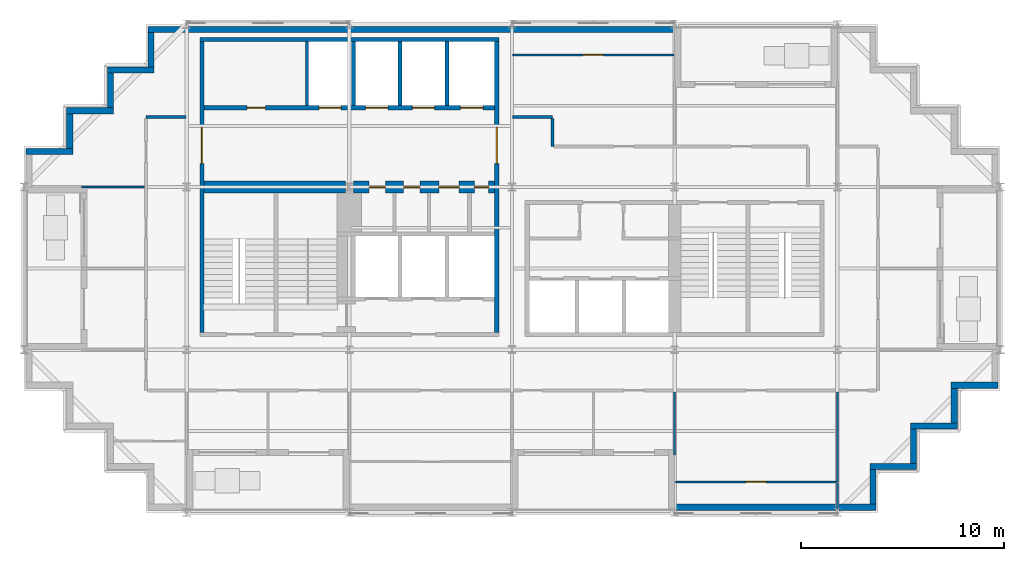
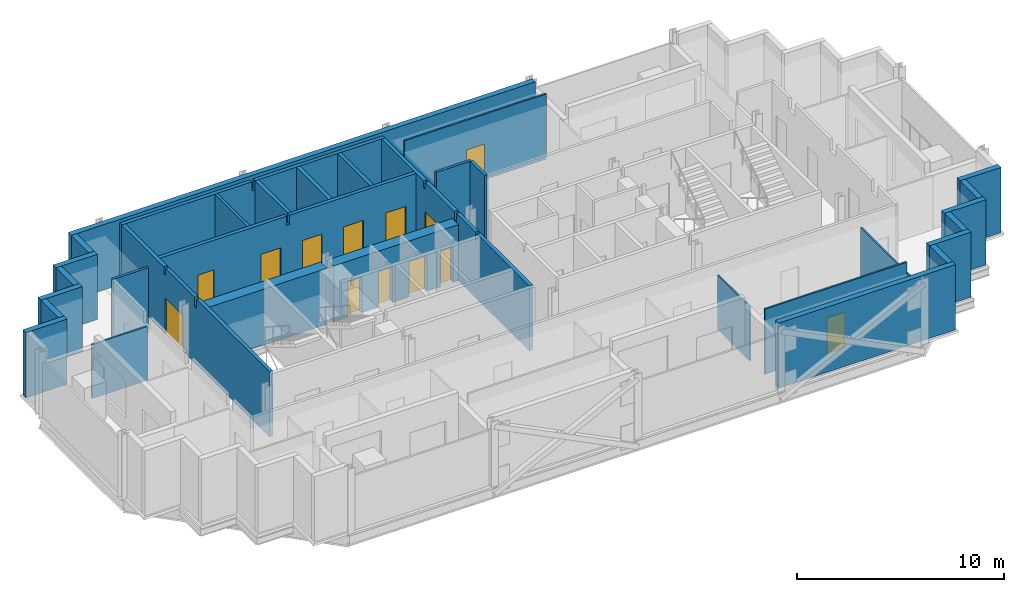
# One storey, part 6 of 10: 33 walls, 13 doors, 13 openings.
"""IFC4 building model written with IfcOpenShell, lengths in metres."""

import ifcopenshell
import ifcopenshell.guid

model = None  # the IFC model being written
_history = None  # IfcOwnerHistory: only IFC2X3 demands one
_inside = {}  # id of a spatial element -> (the spatial element, [elements in it])
_under = {}  # id of a project, library or spatial element -> (it, [spatial elements below it])
_declared = {}  # id of a project -> (the project, [libraries it declares])
_typed = {}  # id of a type object -> (the type object, [elements of that type])
_made_of = {}  # id of a material, layer set ... -> (it, [elements and type objects made of it])


def new_model(schema):
    """Start an empty IFC model of exactly this schema.

    Asked for "IFC4X3", IfcOpenShell would pick the latest addendum, in which some entities
    have other attributes; the version numbers below select the first issue.
    IFC2X3 requires an IfcOwnerHistory on every rooted entity: one is made here for all.
    """
    global model, _history
    if schema == "IFC4X3":
        model = ifcopenshell.file(schema_version=(4, 3, 0, 0))
    else:
        model = ifcopenshell.file(schema=schema)
    _inside.clear()
    _under.clear()
    _declared.clear()
    _typed.clear()
    _made_of.clear()
    _history = None
    if model.schema == "IFC2X3":
        org = make("IfcOrganization", Name="unknown")
        user = make(
            "IfcPersonAndOrganization",
            ThePerson=make("IfcPerson", FamilyName="unknown"),
            TheOrganization=org,
        )
        app = make(
            "IfcApplication",
            ApplicationDeveloper=org,
            Version="unknown",
            ApplicationFullName="unknown",
            ApplicationIdentifier="unknown",
        )
        _history = make(
            "IfcOwnerHistory",
            OwningUser=user,
            OwningApplication=app,
            ChangeAction="ADDED",
            CreationDate=0,
        )
    return model


def make(cls, **values):
    """One entity of the class cls with the attributes given. An attribute that is None is left unset."""
    return model.create_entity(
        cls, **{name: value for name, value in values.items() if value is not None}
    )


def rooted(cls, **values):
    """An entity with a GlobalId (a new one), such as an element, a storey or a relation."""
    return make(cls, GlobalId=ifcopenshell.guid.new(), OwnerHistory=_history, **values)


def si_unit(unit_type, name, prefix=None):
    """IfcSIUnit, for example si_unit("LENGTHUNIT", "METRE", prefix="MILLI")."""
    return make("IfcSIUnit", UnitType=unit_type, Prefix=prefix, Name=name)


def assignment(units):
    """IfcUnitAssignment: the units of a project."""
    return None if units is None else make("IfcUnitAssignment", Units=units)


def point(xyz):
    """IfcCartesianPoint."""
    return None if xyz is None else make("IfcCartesianPoint", Coordinates=xyz)


def direction(xyz):
    """IfcDirection."""
    return None if xyz is None else make("IfcDirection", DirectionRatios=xyz)


def frame(location, z_axis=None, x_axis=None):
    """IfcAxis2Placement3D, a coordinate frame: its origin and axes. An axis left out is left unset."""
    return make(
        "IfcAxis2Placement3D",
        Location=point(location),
        Axis=direction(z_axis),
        RefDirection=direction(x_axis),
    )


def frame_2d(location, x_axis=None):
    """IfcAxis2Placement2D, a coordinate frame in the plane: its origin and x axis."""
    return make(
        "IfcAxis2Placement2D", Location=point(location), RefDirection=direction(x_axis)
    )


def origin():
    """The frame at (0, 0, 0) with its axes left unset."""
    return frame((0.0, 0.0, 0.0))


def place(relative_to, where):
    """IfcLocalPlacement: puts the frame where relative to a parent placement (None: the world)."""
    return make(
        "IfcLocalPlacement", PlacementRelTo=relative_to, RelativePlacement=where
    )


def context(
    kind, dimensions, precision=None, world=None, true_north=None, identifier=None
):
    """IfcGeometricRepresentationContext, for example the 3D "Model" context."""
    return make(
        "IfcGeometricRepresentationContext",
        ContextIdentifier=identifier,
        ContextType=kind,
        CoordinateSpaceDimension=dimensions,
        Precision=precision,
        WorldCoordinateSystem=world,
        TrueNorth=true_north,
    )


def subcontext(parent, identifier, kind, view, scale=None):
    """IfcGeometricRepresentationSubContext, for example "Body" below "Model"."""
    return make(
        "IfcGeometricRepresentationSubContext",
        ContextIdentifier=identifier,
        ContextType=kind,
        ParentContext=parent,
        TargetScale=scale,
        TargetView=view,
    )


def project(units=None, contexts=None):
    """IfcProject with its units and contexts."""
    return rooted(
        "IfcProject",
        Name="project",
        RepresentationContexts=contexts,
        UnitsInContext=assignment(units),
    )


def spatial(cls, under=None, at=None, **own):
    """A site, building, storey or space (cls), placed at a placement, below another one or the project."""
    s = rooted(cls, ObjectPlacement=at, **own)
    if under is not None:
        _under.setdefault(under.id(), (under, []))[1].append(s)
    return s


def polyline(points):
    """IfcPolyline through the points."""
    return make("IfcPolyline", Points=[point(p) for p in points])


def profile(cls, at=None, kind="AREA", **sizes):
    """A parametric profile (cls). Its sizes go by their IFC names, for example OverallWidth=200.0."""
    return make(cls, ProfileType=kind, Position=at, **sizes)


def rectangle(**sizes):
    """IfcRectangleProfileDef."""
    return profile("IfcRectangleProfileDef", **sizes)


def outline(outer, holes=None, kind="AREA"):
    """IfcArbitraryClosedProfileDef: a profile drawn as a closed curve; with holes, ...WithVoids."""
    if holes is None:
        return make("IfcArbitraryClosedProfileDef", ProfileType=kind, OuterCurve=outer)
    return make(
        "IfcArbitraryProfileDefWithVoids",
        ProfileType=kind,
        OuterCurve=outer,
        InnerCurves=holes,
    )


def extrude(swept, where, along, depth):
    """IfcExtrudedAreaSolid: the profile swept, set in the frame where, extruded along a direction by depth."""
    return make(
        "IfcExtrudedAreaSolid",
        SweptArea=swept,
        Position=where,
        ExtrudedDirection=direction(along),
        Depth=depth,
    )


def shape(context_of_items, identifier, shape_type, items):
    """IfcShapeRepresentation: the items that make up one representation, for example the "Body"."""
    return make(
        "IfcShapeRepresentation",
        ContextOfItems=context_of_items,
        RepresentationIdentifier=identifier,
        RepresentationType=shape_type,
        Items=items,
    )


def material(Name=None, Category=None):
    """IfcMaterial."""
    return make("IfcMaterial", Name=Name, Category=Category)


def layer(
    of_material, thickness, ventilated=None, Name=None, Category=None, Priority=None
):
    """IfcMaterialLayer: one layer of a wall or slab, of a material (None: an air gap)."""
    return make(
        "IfcMaterialLayer",
        Material=of_material,
        LayerThickness=thickness,
        IsVentilated=ventilated,
        Name=Name,
        Category=Category,
        Priority=Priority,
    )


def layer_set(layers, Name=None):
    """IfcMaterialLayerSet."""
    return make("IfcMaterialLayerSet", MaterialLayers=layers, LayerSetName=Name)


def made_of(thing, what):
    """Note that an element or type object is made of a material, layer set ...; save() writes the relation."""
    if what is not None:
        _made_of.setdefault(what.id(), (what, []))[1].append(thing)
    return thing


def type_object(cls, material=None, **own):
    """A type object (cls), such as IfcWallType, which elements share."""
    return made_of(rooted(cls, **own), material)


def element(
    cls,
    number,
    at=None,
    inside=None,
    cuts=None,
    type_object=None,
    material=None,
    context=None,
    identifier="Body",
    shape_type=None,
    held_by="IfcProductDefinitionShape",
    body=None,
    shapes=None,
    **own,
):
    """One element of the class cls, such as IfcWall. Its Tag is "e" and its number.

    at: its placement. inside: the storey or other place that contains it. cuts: it is an
    opening in that element (IfcRelVoidsElement). A single representation is given by context,
    identifier, shape_type and body (its items); several are given by shapes. held_by: the class
    of the entity that holds the representations. save() writes the other relations.
    """
    e = rooted(cls, Tag="e%d" % number, ObjectPlacement=at, **own)
    if body is not None:
        shapes = [shape(context, identifier, shape_type, body)]
    if shapes is not None:
        e.Representation = make(held_by, Representations=shapes)
    if inside is not None:
        _inside.setdefault(inside.id(), (inside, []))[1].append(e)
    if cuts is not None:
        rooted(
            "IfcRelVoidsElement", RelatingBuildingElement=cuts, RelatedOpeningElement=e
        )
    if type_object is not None:
        _typed.setdefault(type_object.id(), (type_object, []))[1].append(e)
    return made_of(e, material)


def fill(opening, filler):
    """IfcRelFillsElement: the door or window that sits in an opening."""
    return rooted(
        "IfcRelFillsElement",
        RelatingOpeningElement=opening,
        RelatedBuildingElement=filler,
    )


def aggregate(whole, parts):
    """IfcRelAggregates: a whole, such as a stair, and the parts it consists of."""
    return rooted("IfcRelAggregates", RelatingObject=whole, RelatedObjects=parts)


def save(model, path):
    """Write the relations noted so far, then the file.

    IfcRelAggregates (storeys below a building ...), IfcRelContainedInSpatialStructure (elements
    in a storey), IfcRelDefinesByType, IfcRelAssociatesMaterial and IfcRelDeclares: one each for
    every whole, place, type object, material and project.
    """
    for whole, parts in _under.values():
        aggregate(whole, parts)
    for where, things in _inside.values():
        rooted(
            "IfcRelContainedInSpatialStructure",
            RelatedElements=things,
            RelatingStructure=where,
        )
    for kind, things in _typed.values():
        rooted("IfcRelDefinesByType", RelatedObjects=things, RelatingType=kind)
    for what, things in _made_of.values():
        rooted("IfcRelAssociatesMaterial", RelatedObjects=things, RelatingMaterial=what)
    for by, libraries in _declared.values():
        rooted("IfcRelDeclares", RelatingContext=by, RelatedDefinitions=libraries)
    model.write(path)


model = new_model("IFC4")

# Units and contexts
model_context = context("Model", 3, precision=1e-05, world=origin(), true_north=direction((0.0, 1.0)))
body_context = subcontext(model_context, "Body", "Model", "MODEL_VIEW")
ifc_project = project(units=[si_unit("LENGTHUNIT", "METRE"), si_unit("AREAUNIT", "SQUARE_METRE"), si_unit("VOLUMEUNIT", "CUBIC_METRE"), si_unit("PLANEANGLEUNIT", "RADIAN"), si_unit("MASSUNIT", "GRAM", prefix="KILO")], contexts=[model_context])

# Site, building, storey
site_placement = place(None, origin())
site = spatial("IfcSite", under=ifc_project, at=site_placement, CompositionType="ELEMENT")
building_placement = place(site_placement, origin())
building = spatial("IfcBuilding", under=site, at=building_placement, Name="Immortelle Media Tower", CompositionType="ELEMENT")
storey_placement = place(building_placement, frame((0.0, 0.0, 251.0)))
storey = spatial("IfcBuildingStorey", under=building, at=storey_placement, Name="L54", CompositionType="ELEMENT", Elevation=251.0)

# Wall, openings, doors
ifc_material_1 = material(Name="Fire-rated masonry blockwork", Category="masonry")
ifc_layer_1 = layer(ifc_material_1, 0.60009765625)
ifc_layer_set_1 = layer_set([ifc_layer_1], Name="Fire-rated masonry blockwork")
wall_type_1 = type_object("IfcWallType", Name="Core grid-line wall 600", PredefinedType="PARTITIONING", material=ifc_layer_set_1)
wall_1_placement = place(storey_placement, frame((16.195556640625, 16.0, 0.0), z_axis=(0.0, 0.0, 1.0), x_axis=(1.0, 0.0, 0.0)))
wall_1 = element("IfcWall", 1, at=wall_1_placement, inside=storey, type_object=wall_type_1, Name="Core grid-line wall SW", PredefinedType="PARTITIONING", context=body_context, shape_type="SweptSolid", body=[
    extrude(rectangle(XDim=6.954345703125, YDim=0.60009765625, at=frame_2d((3.47705078125, 0.0))), origin(), (0.0, 0.0, 1.0), 3.30810546875),
])
opening_1_placement = place(wall_1_placement, frame((1.57958984375, 0.0, 0.0), z_axis=(0.0, 0.0, 1.0), x_axis=(-1.0, 0.0, 0.0)))
opening_1 = element("IfcOpeningElement", 2, at=opening_1_placement, cuts=wall_1, Name="Opening X1-K009", PredefinedType="OPENING", context=body_context, shape_type="SweptSolid", body=[
    extrude(rectangle(XDim=0.800048828125, YDim=2.10009765625, at=frame_2d((0.39990234375, 1.050048828125))), frame((0.0, 0.31005859375, 0.0), z_axis=(0.0, -1.0, 0.0), x_axis=(1.0, 0.0, 0.0)), (0.0, 0.0, 1.0), 0.6201171875),
])
opening_2_placement = place(wall_1_placement, frame((3.279541015625, 0.0, 0.0), z_axis=(0.0, 0.0, 1.0), x_axis=(-1.0, 0.0, 0.0)))
opening_2 = element("IfcOpeningElement", 3, at=opening_2_placement, cuts=wall_1, Name="Opening X1-K010", PredefinedType="OPENING", context=body_context, shape_type="SweptSolid", body=[
    extrude(rectangle(XDim=0.800048828125, YDim=2.10009765625, at=frame_2d((0.39990234375, 1.050048828125))), frame((0.0, 0.31005859375, 0.0), z_axis=(0.0, -1.0, 0.0), x_axis=(1.0, 0.0, 0.0)), (0.0, 0.0, 1.0), 0.6201171875),
])
opening_3_placement = place(wall_1_placement, frame((5.20458984375, 0.0, 0.0), z_axis=(0.0, 0.0, 1.0), x_axis=(-1.0, 0.0, 0.0)))
opening_3 = element("IfcOpeningElement", 4, at=opening_3_placement, cuts=wall_1, Name="Opening X1-K014", PredefinedType="OPENING", context=body_context, shape_type="SweptSolid", body=[
    extrude(rectangle(XDim=1.0, YDim=2.10009765625, at=frame_2d((0.5, 1.050048828125))), frame((0.0, 0.31005859375, 0.0), z_axis=(0.0, -1.0, 0.0), x_axis=(1.0, 0.0, 0.0)), (0.0, 0.0, 1.0), 0.6201171875),
])
opening_4_placement = place(wall_1_placement, frame((6.654541015625, 0.0, 0.0), z_axis=(0.0, 0.0, 1.0), x_axis=(-1.0, 0.0, 0.0)))
opening_4 = element("IfcOpeningElement", 5, at=opening_4_placement, cuts=wall_1, Name="Opening X1-K017", PredefinedType="OPENING", context=body_context, shape_type="SweptSolid", body=[
    extrude(rectangle(XDim=0.699951171875, YDim=2.10009765625, at=frame_2d((0.35009765625, 1.050048828125))), frame((0.0, 0.31005859375, 0.0), z_axis=(0.0, -1.0, 0.0), x_axis=(1.0, 0.0, 0.0)), (0.0, 0.0, 1.0), 0.6201171875),
])
ifc_material_2 = material(Name="Timber", Category="wood")
door_type_1 = type_object("IfcDoorType", Name="Accessible toilet door 1000 x 2100", OperationType="NOTDEFINED", PredefinedType="NOTDEFINED", material=ifc_material_2)
door_1_placement = place(opening_3_placement, origin())
door_1 = element("IfcDoor", 6, at=door_1_placement, inside=storey, type_object=door_type_1, Name="Accessible toilet X1-K014", OperationType="SINGLE_SWING_RIGHT", OverallHeight=2.10009765625, OverallWidth=1.0, PredefinedType="NOTDEFINED", context=body_context, shape_type="SweptSolid", body=[
    extrude(rectangle(XDim=1.0, YDim=2.10009765625, at=frame_2d((0.5, 1.050048828125))), frame((0.0, 0.02490234375, 0.0), z_axis=(0.0, -1.0, 0.0), x_axis=(1.0, 0.0, 0.0)), (0.0, 0.0, 1.0), 0.050048828125),
])
fill(opening_3, door_1)
ifc_material_3 = material(Name="Galvanised steel door leaf and frame ASTM A653", Category="steel")
door_type_2 = type_object("IfcDoorType", Name="Service door 700 x 2100", OperationType="NOTDEFINED", PredefinedType="NOTDEFINED", material=ifc_material_3)
door_2_placement = place(opening_4_placement, origin())
door_2 = element("IfcDoor", 7, at=door_2_placement, inside=storey, type_object=door_type_2, Name="Service X1-K017", OperationType="SINGLE_SWING_LEFT", OverallHeight=2.10009765625, OverallWidth=0.699951171875, PredefinedType="NOTDEFINED", context=body_context, shape_type="SweptSolid", body=[
    extrude(rectangle(XDim=0.699951171875, YDim=2.10009765625, at=frame_2d((0.35009765625, 1.050048828125))), frame((0.0, 0.02490234375, 0.0), z_axis=(0.0, -1.0, 0.0), x_axis=(1.0, 0.0, 0.0)), (0.0, 0.0, 1.0), 0.050048828125),
])
fill(opening_4, door_2)
door_type_3 = type_object("IfcDoorType", Name="Toilet door 800 x 2100", OperationType="NOTDEFINED", PredefinedType="NOTDEFINED", material=ifc_material_2)
door_3_placement = place(opening_1_placement, origin())
door_3 = element("IfcDoor", 8, at=door_3_placement, inside=storey, type_object=door_type_3, Name="Toilet X1-K009", OperationType="SINGLE_SWING_RIGHT", OverallHeight=2.10009765625, OverallWidth=0.800048828125, PredefinedType="NOTDEFINED", context=body_context, shape_type="SweptSolid", body=[
    extrude(rectangle(XDim=0.800048828125, YDim=2.10009765625, at=frame_2d((0.39990234375, 1.050048828125))), frame((0.0, 0.02490234375, 0.0), z_axis=(0.0, -1.0, 0.0), x_axis=(1.0, 0.0, 0.0)), (0.0, 0.0, 1.0), 0.050048828125),
])
fill(opening_1, door_3)
door_4_placement = place(opening_2_placement, origin())
door_4 = element("IfcDoor", 9, at=door_4_placement, inside=storey, type_object=door_type_3, Name="Toilet X1-K010", OperationType="SINGLE_SWING_LEFT", OverallHeight=2.10009765625, OverallWidth=0.800048828125, PredefinedType="NOTDEFINED", context=body_context, shape_type="SweptSolid", body=[
    extrude(rectangle(XDim=0.800048828125, YDim=2.10009765625, at=frame_2d((0.39990234375, 1.050048828125))), frame((0.0, 0.02490234375, 0.0), z_axis=(0.0, -1.0, 0.0), x_axis=(1.0, 0.0, 0.0)), (0.0, 0.0, 1.0), 0.050048828125),
])
fill(opening_2, door_4)

# Walls
ifc_material_4 = material(Name="Fire-rated gypsum board", Category="gypsum")
ifc_layer_2 = layer(ifc_material_4, 0.02490234375)
ifc_material_5 = material(Name="Steel ASTM A653 SS Gr 50 stud frame with mineral wool", Category="steel")
ifc_layer_3 = layer(ifc_material_5, 0.10009765625)
ifc_layer_4 = layer(ifc_material_4, 0.02490234375)
ifc_layer_set_2 = layer_set([ifc_layer_2, ifc_layer_3, ifc_layer_4], Name="Steel ASTM A653 SS Gr 50 stud frame with mineral wool")
wall_type_2 = type_object("IfcWallType", Name="Core partition 150", PredefinedType="PARTITIONING", material=ifc_layer_set_2)
wall_2_placement = place(storey_placement, frame((13.925048828125, 20.0, 0.0), z_axis=(0.0, 0.0, 1.0), x_axis=(0.0, 1.0, 0.0)))
element("IfcWall", 10, at=wall_2_placement, inside=storey, type_object=wall_type_2, Name="Core partition SW", PredefinedType="PARTITIONING", context=body_context, shape_type="SweptSolid", body=[
    extrude(rectangle(XDim=3.14990234375, YDim=0.14990234375, at=frame_2d((1.574951171875, 0.0))), origin(), (0.0, 0.0, 1.0), 3.85009765625),
])
ifc_layer_5 = layer(ifc_material_4, 0.03759765625)
ifc_layer_6 = layer(ifc_material_5, 0.125)
ifc_layer_7 = layer(ifc_material_4, 0.03759765625)
ifc_layer_set_3 = layer_set([ifc_layer_5, ifc_layer_6, ifc_layer_7], Name="Steel ASTM A653 SS Gr 50 stud frame with mineral wool")
wall_type_3 = type_object("IfcWallType", Name="Core shaft wall 200", PredefinedType="PARTITIONING", material=ifc_layer_set_3)
wall_3_placement = place(storey_placement, frame((8.64990234375, 23.25, 0.0), z_axis=(0.0, 0.0, 1.0), x_axis=(1.0, 0.0, 0.0)))
element("IfcWall", 11, at=wall_3_placement, inside=storey, type_object=wall_type_3, Name="Core shaft wall SW", PredefinedType="PARTITIONING", context=body_context, shape_type="SweptSolid", body=[
    extrude(outline(polyline([(0.0, 0.0), (14.7001953125, 0.0), (14.699951171875, 3.85009765625), (7.4384765625, 3.85009765625), (7.4375, 3.30810546875), (7.262451171875, 3.30810546875), (7.261474609375, 3.85009765625), (0.0, 3.85009765625), (0.0, 0.0)])), frame((0.0, 0.10009765625, 0.0), z_axis=(0.0, -1.0, 0.0), x_axis=(1.0, 0.0, 0.0)), (0.0, 0.0, 1.0), 0.199951171875),
])

# Wall, openings, doors
wall_4_placement = place(storey_placement, frame((8.85009765625, 19.89990234375, 0.0), z_axis=(0.0, 0.0, 1.0), x_axis=(1.0, 0.0, 0.0)))
wall_4 = element("IfcWall", 12, at=wall_4_placement, inside=storey, type_object=wall_type_3, Name="Core shaft wall SW", PredefinedType="PARTITIONING", context=body_context, shape_type="SweptSolid", body=[
    extrude(outline(polyline([(0.0, 0.0), (14.2998046875, 0.0), (14.300048828125, 3.85009765625), (7.238525390625, 3.85009765625), (7.237548828125, 3.30810546875), (7.0625, 3.30810546875), (7.0615234375, 3.85009765625), (0.0, 3.85009765625), (0.0, 0.0)])), frame((0.0, 0.10009765625, 0.0), z_axis=(0.0, -1.0, 0.0), x_axis=(1.0, 0.0, 0.0)), (0.0, 0.0, 1.0), 0.199951171875),
])
opening_5_placement = place(wall_4_placement, frame((2.125, 0.0, 0.0)))
opening_5 = element("IfcOpeningElement", 13, at=opening_5_placement, cuts=wall_4, Name="Opening X1-K003", PredefinedType="OPENING", context=body_context, shape_type="SweptSolid", body=[
    extrude(rectangle(XDim=0.89990234375, YDim=2.10009765625, at=frame_2d((0.449951171875, 1.050048828125))), frame((0.0, 0.10986328125, 0.0), z_axis=(0.0, -1.0, 0.0), x_axis=(1.0, 0.0, 0.0)), (0.0, 0.0, 1.0), 0.219970703125),
])
opening_6_placement = place(wall_4_placement, frame((5.64990234375, 0.0, 0.0)))
opening_6 = element("IfcOpeningElement", 14, at=opening_6_placement, cuts=wall_4, Name="Opening LD", PredefinedType="OPENING", context=body_context, shape_type="SweptSolid", body=[
    extrude(rectangle(XDim=1.10009765625, YDim=2.10009765625, at=frame_2d((0.550048828125, 1.050048828125))), frame((0.0, 0.10986328125, 0.0), z_axis=(0.0, -1.0, 0.0), x_axis=(1.0, 0.0, 0.0)), (0.0, 0.0, 1.0), 0.219970703125),
])
opening_7_placement = place(wall_4_placement, frame((7.949951171875, 0.0, 0.0)))
opening_7 = element("IfcOpeningElement", 15, at=opening_7_placement, cuts=wall_4, Name="Opening LD", PredefinedType="OPENING", context=body_context, shape_type="SweptSolid", body=[
    extrude(rectangle(XDim=1.10009765625, YDim=2.10009765625, at=frame_2d((0.550048828125, 1.050048828125))), frame((0.0, 0.10986328125, 0.0), z_axis=(0.0, -1.0, 0.0), x_axis=(1.0, 0.0, 0.0)), (0.0, 0.0, 1.0), 0.219970703125),
])
opening_8_placement = place(wall_4_placement, frame((10.25, 0.0, 0.0)))
opening_8 = element("IfcOpeningElement", 16, at=opening_8_placement, cuts=wall_4, Name="Opening LD", PredefinedType="OPENING", context=body_context, shape_type="SweptSolid", body=[
    extrude(rectangle(XDim=1.10009765625, YDim=2.10009765625, at=frame_2d((0.550048828125, 1.050048828125))), frame((0.0, 0.10986328125, 0.0), z_axis=(0.0, -1.0, 0.0), x_axis=(1.0, 0.0, 0.0)), (0.0, 0.0, 1.0), 0.219970703125),
])
opening_9_placement = place(wall_4_placement, frame((12.625, 0.0, 0.0)))
opening_9 = element("IfcOpeningElement", 17, at=opening_9_placement, cuts=wall_4, Name="Opening LD", PredefinedType="OPENING", context=body_context, shape_type="SweptSolid", body=[
    extrude(rectangle(XDim=1.10009765625, YDim=2.10009765625, at=frame_2d((0.550048828125, 1.050048828125))), frame((0.0, 0.10986328125, 0.0), z_axis=(0.0, -1.0, 0.0), x_axis=(1.0, 0.0, 0.0)), (0.0, 0.0, 1.0), 0.219970703125),
])
ifc_material_6 = material(Name="Stainless steel AISI 304", Category="steel")
door_type_4 = type_object("IfcDoorType", Name="Landing door 1100 x 2100", OperationType="SLIDING_TO_LEFT", PredefinedType="NOTDEFINED", material=ifc_material_6)
door_5_placement = place(opening_6_placement, origin())
door_5 = element("IfcDoor", 18, at=door_5_placement, inside=storey, type_object=door_type_4, Name="Landing door HR1 L54", OperationType="SLIDING_TO_LEFT", OverallHeight=2.10009765625, OverallWidth=1.10009765625, PredefinedType="NOTDEFINED", context=body_context, shape_type="SweptSolid", body=[
    extrude(rectangle(XDim=1.10009765625, YDim=2.10009765625, at=frame_2d((0.550048828125, 1.050048828125))), frame((0.0, 0.02490234375, 0.0), z_axis=(0.0, -1.0, 0.0), x_axis=(1.0, 0.0, 0.0)), (0.0, 0.0, 1.0), 0.050048828125),
])
fill(opening_6, door_5)
door_6_placement = place(opening_7_placement, origin())
door_6 = element("IfcDoor", 19, at=door_6_placement, inside=storey, type_object=door_type_4, Name="Landing door HR2 L54", OperationType="SLIDING_TO_LEFT", OverallHeight=2.10009765625, OverallWidth=1.10009765625, PredefinedType="NOTDEFINED", context=body_context, shape_type="SweptSolid", body=[
    extrude(rectangle(XDim=1.10009765625, YDim=2.10009765625, at=frame_2d((0.550048828125, 1.050048828125))), frame((0.0, 0.02490234375, 0.0), z_axis=(0.0, -1.0, 0.0), x_axis=(1.0, 0.0, 0.0)), (0.0, 0.0, 1.0), 0.050048828125),
])
fill(opening_7, door_6)
door_7_placement = place(opening_8_placement, origin())
door_7 = element("IfcDoor", 20, at=door_7_placement, inside=storey, type_object=door_type_4, Name="Landing door HR3 L54", OperationType="SLIDING_TO_LEFT", OverallHeight=2.10009765625, OverallWidth=1.10009765625, PredefinedType="NOTDEFINED", context=body_context, shape_type="SweptSolid", body=[
    extrude(rectangle(XDim=1.10009765625, YDim=2.10009765625, at=frame_2d((0.550048828125, 1.050048828125))), frame((0.0, 0.02490234375, 0.0), z_axis=(0.0, -1.0, 0.0), x_axis=(1.0, 0.0, 0.0)), (0.0, 0.0, 1.0), 0.050048828125),
])
fill(opening_8, door_7)
door_8_placement = place(opening_9_placement, origin())
door_8 = element("IfcDoor", 21, at=door_8_placement, inside=storey, type_object=door_type_4, Name="Landing door HR4 L54", OperationType="SLIDING_TO_LEFT", OverallHeight=2.10009765625, OverallWidth=1.10009765625, PredefinedType="NOTDEFINED", context=body_context, shape_type="SweptSolid", body=[
    extrude(rectangle(XDim=1.10009765625, YDim=2.10009765625, at=frame_2d((0.550048828125, 1.050048828125))), frame((0.0, 0.02490234375, 0.0), z_axis=(0.0, -1.0, 0.0), x_axis=(1.0, 0.0, 0.0)), (0.0, 0.0, 1.0), 0.050048828125),
])
fill(opening_9, door_8)
door_type_5 = type_object("IfcDoorType", Name="Room door 900 x 2100", OperationType="NOTDEFINED", PredefinedType="NOTDEFINED", material=ifc_material_2)
door_9_placement = place(opening_5_placement, origin())
door_9 = element("IfcDoor", 22, at=door_9_placement, inside=storey, type_object=door_type_5, Name="Room X1-K003", OperationType="SINGLE_SWING_LEFT", OverallHeight=2.10009765625, OverallWidth=0.89990234375, PredefinedType="NOTDEFINED", context=body_context, shape_type="SweptSolid", body=[
    extrude(rectangle(XDim=0.89990234375, YDim=2.10009765625, at=frame_2d((0.449951171875, 1.050048828125))), frame((0.0, 0.02490234375, 0.0), z_axis=(0.0, -1.0, 0.0), x_axis=(1.0, 0.0, 0.0)), (0.0, 0.0, 1.0), 0.050048828125),
])
fill(opening_5, door_9)

# Walls
for number, where, z_axis, x_axis, name in (
    (23, (16.199951171875, 20.0, 0.0), (0.0, 0.0, 1.0), (0.0, 1.0, 0.0), "Core shaft wall SW"),
    (24, (18.5, 20.0, 0.0), (0.0, 0.0, 1.0), (0.0, 1.0, 0.0), "Core shaft wall SW"),
    (25, (20.800048828125, 20.0, 0.0), (0.0, 0.0, 1.0), (0.0, 1.0, 0.0), "Core shaft wall SW"),
):
    element("IfcWall", number, at=place(storey_placement, frame(where, z_axis=z_axis, x_axis=x_axis)), inside=storey, type_object=wall_type_3, Name=name, PredefinedType="PARTITIONING", context=body_context, shape_type="SweptSolid", body=[
        extrude(rectangle(XDim=3.14990234375, YDim=0.199951171875, at=frame_2d((1.574951171875, 0.0))), origin(), (0.0, 0.0, 1.0), 3.85009765625),
    ])

# Wall, opening, door
wall_5_placement = place(storey_placement, frame((23.25, 8.85009765625, 0.0), z_axis=(0.0, 0.0, 1.0), x_axis=(0.0, 1.0, 0.0)))
wall_5 = element("IfcWall", 26, at=wall_5_placement, inside=storey, type_object=wall_type_3, Name="Core shaft wall SW", PredefinedType="PARTITIONING", context=body_context, shape_type="SweptSolid", body=[
    extrude(outline(polyline([(0.0, 0.0), (14.2998046875, 0.0), (14.300048828125, 3.85009765625), (10.22509765625, 3.85009765625), (10.22412109375, 3.43994140625), (10.075927734375, 3.43994140625), (10.074951171875, 3.85009765625), (7.238525390625, 3.85009765625), (7.237548828125, 3.30810546875), (7.0625, 3.30810546875), (7.0615234375, 3.85009765625), (5.22509765625, 3.85009765625), (5.22412109375, 3.43994140625), (5.075927734375, 3.43994140625), (5.074951171875, 3.85009765625), (0.0, 3.85009765625), (0.0, 0.0)])), frame((0.0, 0.10009765625, 0.0), z_axis=(0.0, -1.0, 0.0), x_axis=(1.0, 0.0, 0.0)), (0.0, 0.0, 1.0), 0.199951171875),
])
opening_10_placement = place(wall_5_placement, frame((8.300048828125, 0.0, 0.0)))
opening_10 = element("IfcOpeningElement", 27, at=opening_10_placement, cuts=wall_5, Name="Opening X1-K018", PredefinedType="OPENING", context=body_context, shape_type="SweptSolid", body=[
    extrude(rectangle(XDim=1.800048828125, YDim=2.10009765625, at=frame_2d((0.89990234375, 1.050048828125))), frame((0.0, 0.10986328125, 0.0), z_axis=(0.0, -1.0, 0.0), x_axis=(1.0, 0.0, 0.0)), (0.0, 0.0, 1.0), 0.219970703125),
])
door_type_6 = type_object("IfcDoorType", Name="Lift lobby door 1800 x 2100", OperationType="DOUBLE_DOOR_SINGLE_SWING", PredefinedType="NOTDEFINED", material=ifc_material_3)
door_10_placement = place(opening_10_placement, origin())
door_10 = element("IfcDoor", 28, at=door_10_placement, inside=storey, type_object=door_type_6, Name="Lift lobby X1-K018", OperationType="DOUBLE_DOOR_SINGLE_SWING", OverallHeight=2.10009765625, OverallWidth=1.800048828125, PredefinedType="NOTDEFINED", context=body_context, shape_type="SweptSolid", body=[
    extrude(rectangle(XDim=1.800048828125, YDim=2.10009765625, at=frame_2d((0.89990234375, 1.050048828125))), frame((0.0, 0.02490234375, 0.0), z_axis=(0.0, -1.0, 0.0), x_axis=(1.0, 0.0, 0.0)), (0.0, 0.0, 1.0), 0.050048828125),
])
fill(opening_10, door_10)

# Walls
ifc_layer_8 = layer(ifc_material_4, 0.012451171875)
ifc_layer_9 = layer(ifc_material_5, 0.125)
ifc_layer_10 = layer(ifc_material_4, 0.012451171875)
ifc_layer_set_4 = layer_set([ifc_layer_8, ifc_layer_9, ifc_layer_10], Name="Steel ASTM A653 SS Gr 50 stud frame with mineral wool")
wall_type_4 = type_object("IfcWallType", Name="Corridor wall 150", PredefinedType="PARTITIONING", material=ifc_layer_set_4)
wall_6_placement = place(storey_placement, frame((26.0, 18.0, 0.0), z_axis=(0.0, 0.0, 1.0), x_axis=(0.0, 1.0, 0.0)))
element("IfcWall", 29, at=wall_6_placement, inside=storey, type_object=wall_type_4, Name="Partition L54-025", PredefinedType="PARTITIONING", context=body_context, shape_type="SweptSolid", body=[
    extrude(rectangle(XDim=1.375, YDim=0.14990234375, at=frame_2d((0.6875, 0.0))), origin(), (0.0, 0.0, 1.0), 3.85009765625),
])
for number, where, z_axis, x_axis, name in (
    (30, (6.0, 19.449951171875, 0.0), (0.0, 0.0, 1.0), (1.0, 0.0, 0.0), "Partition L54-029"),
    (31, (24.030029296875, 19.449951171875, 0.0), (0.0, 0.0, 1.0), (1.0, 0.0, 0.0), "Partition L54-030"),
):
    element("IfcWall", number, at=place(storey_placement, frame(where, z_axis=z_axis, x_axis=x_axis)), inside=storey, type_object=wall_type_4, Name=name, PredefinedType="PARTITIONING", context=body_context, shape_type="SweptSolid", body=[
        extrude(rectangle(XDim=1.969970703125, YDim=0.14990234375, at=frame_2d((0.98486328125, 0.0))), origin(), (0.0, 0.0, 1.0), 3.85009765625),
    ])
ifc_material_7 = material(Name="Pale aluminium cladding panel", Category="aluminium")
ifc_layer_11 = layer(ifc_material_7, 0.030029296875)
ifc_layer_12 = layer(ifc_material_5, 0.257568359375)
ifc_material_8 = material(Name="Moisture-resistant gypsum board", Category="gypsum")
ifc_layer_13 = layer(ifc_material_8, 0.012451171875)
ifc_layer_set_5 = layer_set([ifc_layer_11, ifc_layer_12, ifc_layer_13], Name="Steel ASTM A653 SS Gr 50 stud frame with mineral wool")
wall_type_5 = type_object("IfcWallType", Name="Facade wall 300", PredefinedType="SOLIDWALL", material=ifc_layer_set_5)
wall_7_placement = place(storey_placement, frame((32.0, 0.25, 0.0), z_axis=(0.0, 0.0, 1.0), x_axis=(1.0, 0.0, 0.0)))
element("IfcWall", 32, at=wall_7_placement, inside=storey, type_object=wall_type_5, Name="Facade wall L54 S6", PredefinedType="SOLIDWALL", context=body_context, shape_type="SweptSolid", body=[
    extrude(rectangle(XDim=9.89990234375, YDim=0.300048828125, at=frame_2d((4.949951171875, 0.0))), origin(), (0.0, 0.0, 1.0), 3.85009765625),
])
wall_8_placement = place(storey_placement, frame((41.75, 0.39990234375, 0.0), z_axis=(0.0, 0.0, 1.0), x_axis=(0.0, 1.0, 0.0)))
element("IfcWall", 33, at=wall_8_placement, inside=storey, type_object=wall_type_5, Name="Facade wall L54 E7", PredefinedType="SOLIDWALL", context=body_context, shape_type="SweptSolid", body=[
    extrude(rectangle(XDim=1.7001953125, YDim=0.300048828125, at=frame_2d((0.85009765625, 0.0))), origin(), (0.0, 0.0, 1.0), 3.85009765625),
])
wall_9_placement = place(storey_placement, frame((41.60009765625, 2.25, 0.0), z_axis=(0.0, 0.0, 1.0), x_axis=(1.0, 0.0, 0.0)))
element("IfcWall", 34, at=wall_9_placement, inside=storey, type_object=wall_type_5, Name="Facade wall L54 S8", PredefinedType="SOLIDWALL", context=body_context, shape_type="SweptSolid", body=[
    extrude(rectangle(XDim=2.2998046875, YDim=0.300048828125, at=frame_2d((1.14990234375, 0.0))), origin(), (0.0, 0.0, 1.0), 3.85009765625),
])
wall_10_placement = place(storey_placement, frame((43.75, 2.39990234375, 0.0), z_axis=(0.0, 0.0, 1.0), x_axis=(0.0, 1.0, 0.0)))
element("IfcWall", 35, at=wall_10_placement, inside=storey, type_object=wall_type_5, Name="Facade wall L54 E9", PredefinedType="SOLIDWALL", context=body_context, shape_type="SweptSolid", body=[
    extrude(rectangle(XDim=1.7001953125, YDim=0.300048828125, at=frame_2d((0.85009765625, 0.0))), origin(), (0.0, 0.0, 1.0), 3.85009765625),
])
wall_11_placement = place(storey_placement, frame((43.60009765625, 4.25, 0.0), z_axis=(0.0, 0.0, 1.0), x_axis=(1.0, 0.0, 0.0)))
element("IfcWall", 36, at=wall_11_placement, inside=storey, type_object=wall_type_5, Name="Facade wall L54 S10", PredefinedType="SOLIDWALL", context=body_context, shape_type="SweptSolid", body=[
    extrude(rectangle(XDim=2.2998046875, YDim=0.300048828125, at=frame_2d((1.14990234375, 0.0))), origin(), (0.0, 0.0, 1.0), 3.85009765625),
])
wall_12_placement = place(storey_placement, frame((45.75, 4.39990234375, 0.0), z_axis=(0.0, 0.0, 1.0), x_axis=(0.0, 1.0, 0.0)))
element("IfcWall", 37, at=wall_12_placement, inside=storey, type_object=wall_type_5, Name="Facade wall L54 E11", PredefinedType="SOLIDWALL", context=body_context, shape_type="SweptSolid", body=[
    extrude(rectangle(XDim=1.7001953125, YDim=0.300048828125, at=frame_2d((0.85009765625, 0.0))), origin(), (0.0, 0.0, 1.0), 3.85009765625),
])
wall_13_placement = place(storey_placement, frame((45.60009765625, 6.25, 0.0), z_axis=(0.0, 0.0, 1.0), x_axis=(1.0, 0.0, 0.0)))
element("IfcWall", 38, at=wall_13_placement, inside=storey, type_object=wall_type_5, Name="Facade wall L54 S12", PredefinedType="SOLIDWALL", context=body_context, shape_type="SweptSolid", body=[
    extrude(rectangle(XDim=2.2998046875, YDim=0.300048828125, at=frame_2d((1.14990234375, 0.0))), origin(), (0.0, 0.0, 1.0), 3.85009765625),
])
wall_14_placement = place(storey_placement, frame((32.0, 23.75, 0.0), z_axis=(0.0, 0.0, 1.0), x_axis=(-1.0, 0.0, 0.0)))
element("IfcWall", 39, at=wall_14_placement, inside=storey, type_object=wall_type_5, Name="Facade wall L54 N20", PredefinedType="SOLIDWALL", context=body_context, shape_type="SweptSolid", body=[
    extrude(rectangle(XDim=25.89990234375, YDim=0.300048828125, at=frame_2d((12.949951171875, 0.0))), origin(), (0.0, 0.0, 1.0), 3.85009765625),
])
wall_15_placement = place(storey_placement, frame((6.25, 23.60009765625, 0.0), z_axis=(0.0, 0.0, 1.0), x_axis=(0.0, -1.0, 0.0)))
element("IfcWall", 40, at=wall_15_placement, inside=storey, type_object=wall_type_5, Name="Facade wall L54 W21", PredefinedType="SOLIDWALL", context=body_context, shape_type="SweptSolid", body=[
    extrude(rectangle(XDim=1.7001953125, YDim=0.300048828125, at=frame_2d((0.85009765625, 0.0))), origin(), (0.0, 0.0, 1.0), 3.85009765625),
])
wall_16_placement = place(storey_placement, frame((6.39990234375, 21.75, 0.0), z_axis=(0.0, 0.0, 1.0), x_axis=(-1.0, 0.0, 0.0)))
element("IfcWall", 41, at=wall_16_placement, inside=storey, type_object=wall_type_5, Name="Facade wall L54 N22", PredefinedType="SOLIDWALL", context=body_context, shape_type="SweptSolid", body=[
    extrude(rectangle(XDim=2.2998046875, YDim=0.300048828125, at=frame_2d((1.14990234375, 0.0))), origin(), (0.0, 0.0, 1.0), 3.85009765625),
])
wall_17_placement = place(storey_placement, frame((4.25, 21.60009765625, 0.0), z_axis=(0.0, 0.0, 1.0), x_axis=(0.0, -1.0, 0.0)))
element("IfcWall", 42, at=wall_17_placement, inside=storey, type_object=wall_type_5, Name="Facade wall L54 W23", PredefinedType="SOLIDWALL", context=body_context, shape_type="SweptSolid", body=[
    extrude(rectangle(XDim=1.7001953125, YDim=0.300048828125, at=frame_2d((0.85009765625, 0.0))), origin(), (0.0, 0.0, 1.0), 3.85009765625),
])
wall_18_placement = place(storey_placement, frame((4.39990234375, 19.75, 0.0), z_axis=(0.0, 0.0, 1.0), x_axis=(-1.0, 0.0, 0.0)))
element("IfcWall", 43, at=wall_18_placement, inside=storey, type_object=wall_type_5, Name="Facade wall L54 N24", PredefinedType="SOLIDWALL", context=body_context, shape_type="SweptSolid", body=[
    extrude(rectangle(XDim=2.2998046875, YDim=0.300048828125, at=frame_2d((1.14990234375, 0.0))), origin(), (0.0, 0.0, 1.0), 3.85009765625),
])
wall_19_placement = place(storey_placement, frame((2.25, 19.60009765625, 0.0), z_axis=(0.0, 0.0, 1.0), x_axis=(0.0, -1.0, 0.0)))
element("IfcWall", 44, at=wall_19_placement, inside=storey, type_object=wall_type_5, Name="Facade wall L54 W25", PredefinedType="SOLIDWALL", context=body_context, shape_type="SweptSolid", body=[
    extrude(rectangle(XDim=1.7001953125, YDim=0.300048828125, at=frame_2d((0.85009765625, 0.0))), origin(), (0.0, 0.0, 1.0), 3.85009765625),
])
wall_20_placement = place(storey_placement, frame((2.39990234375, 17.75, 0.0), z_axis=(0.0, 0.0, 1.0), x_axis=(-1.0, 0.0, 0.0)))
element("IfcWall", 45, at=wall_20_placement, inside=storey, type_object=wall_type_5, Name="Facade wall L54 N26", PredefinedType="SOLIDWALL", context=body_context, shape_type="SweptSolid", body=[
    extrude(rectangle(XDim=2.2998046875, YDim=0.300048828125, at=frame_2d((1.14990234375, 0.0))), origin(), (0.0, 0.0, 1.0), 3.85009765625),
])
ifc_material_9 = material(Name="Gypsum board", Category="gypsum")
ifc_layer_14 = layer(ifc_material_9, 0.012451171875)
ifc_layer_15 = layer(ifc_material_5, 0.074951171875)
ifc_layer_16 = layer(ifc_material_9, 0.012451171875)
ifc_layer_set_6 = layer_set([ifc_layer_14, ifc_layer_15, ifc_layer_16], Name="Steel ASTM A653 SS Gr 50 stud frame with mineral wool")
wall_type_6 = type_object("IfcWallType", Name="Partition 100", PredefinedType="PARTITIONING", material=ifc_layer_set_6)
wall_21_placement = place(storey_placement, frame((40.0, 0.1298828125, 0.0), z_axis=(0.0, 0.0, 1.0), x_axis=(0.0, 1.0, 0.0)))
element("IfcWall", 46, at=wall_21_placement, inside=storey, type_object=wall_type_6, Name="Partition L54-001", PredefinedType="PARTITIONING", context=body_context, shape_type="SweptSolid", body=[
    extrude(rectangle(XDim=1.320068359375, YDim=0.10009765625, at=frame_2d((0.66015625, 0.0))), origin(), (0.0, 0.0, 1.0), 3.172119140625),
])

# Wall, opening, door
wall_22_placement = place(storey_placement, frame((32.030029296875, 1.5, 0.0), z_axis=(0.0, 0.0, 1.0), x_axis=(1.0, 0.0, 0.0)))
wall_22 = element("IfcWall", 47, at=wall_22_placement, inside=storey, type_object=wall_type_6, Name="Partition L54-002", PredefinedType="PARTITIONING", context=body_context, shape_type="SweptSolid", body=[
    extrude(rectangle(XDim=7.919921875, YDim=0.10009765625, at=frame_2d((3.9599609375, 0.0))), origin(), (0.0, 0.0, 1.0), 3.85009765625),
])
opening_11_placement = place(wall_22_placement, frame((4.469970703125, 0.0, 0.0), z_axis=(0.0, 0.0, 1.0), x_axis=(-1.0, 0.0, 0.0)))
opening_11 = element("IfcOpeningElement", 48, at=opening_11_placement, cuts=wall_22, Name="Opening X1-F004", PredefinedType="OPENING", context=body_context, shape_type="SweptSolid", body=[
    extrude(rectangle(XDim=1.0, YDim=2.10009765625, at=frame_2d((0.5, 1.050048828125))), frame((0.0, 0.06005859375, 0.0), z_axis=(0.0, -1.0, 0.0), x_axis=(1.0, 0.0, 0.0)), (0.0, 0.0, 1.0), 0.1201171875),
])
ifc_material_10 = material(Name="Timber veneered door leaf, galvanised steel frame ASTM A653", Category="steel")
door_type_7 = type_object("IfcDoorType", Name="Room door 1000 x 2100", OperationType="NOTDEFINED", PredefinedType="DOOR", material=ifc_material_10)
door_11_placement = place(opening_11_placement, origin())
door_11 = element("IfcDoor", 49, at=door_11_placement, inside=storey, type_object=door_type_7, Name="Door X1-F004", OperationType="SINGLE_SWING_LEFT", OverallHeight=2.10009765625, OverallWidth=1.0, PredefinedType="DOOR", context=body_context, shape_type="SweptSolid", body=[
    extrude(rectangle(XDim=1.0, YDim=2.10009765625, at=frame_2d((0.5, 1.050048828125))), frame((0.0, 0.02490234375, 0.0), z_axis=(0.0, -1.0, 0.0), x_axis=(1.0, 0.0, 0.0)), (0.0, 0.0, 1.0), 0.050048828125),
])
fill(opening_11, door_11)

# Walls
wall_23_placement = place(storey_placement, frame((40.0, 1.5, 0.0), z_axis=(0.0, 0.0, 1.0), x_axis=(0.0, 1.0, 0.0)))
element("IfcWall", 50, at=wall_23_placement, inside=storey, type_object=wall_type_6, Name="Partition L54-003", PredefinedType="PARTITIONING", context=body_context, shape_type="SweptSolid", body=[
    extrude(rectangle(XDim=4.425048828125, YDim=0.10009765625, at=frame_2d((2.21240234375, 0.0))), origin(), (0.0, 0.0, 1.0), 3.172119140625),
])
for number, where, z_axis, x_axis, name in (
    (51, (32.0, 2.830078125, 0.0), (0.0, 0.0, 1.0), (0.0, 1.0, 0.0), "Partition L54-010"),
    (52, (2.830078125, 16.0, 0.0), (0.0, 0.0, 1.0), (1.0, 0.0, 0.0), "Partition L54-020"),
):
    element("IfcWall", number, at=place(storey_placement, frame(where, z_axis=z_axis, x_axis=x_axis)), inside=storey, type_object=wall_type_6, Name=name, PredefinedType="PARTITIONING", context=body_context, shape_type="SweptSolid", body=[
        extrude(rectangle(XDim=3.094970703125, YDim=0.10009765625, at=frame_2d((1.54736328125, 0.0))), origin(), (0.0, 0.0, 1.0), 3.172119140625),
    ])

# Wall, opening, door
wall_24_placement = place(storey_placement, frame((24.030029296875, 22.5, 0.0), z_axis=(0.0, 0.0, 1.0), x_axis=(1.0, 0.0, 0.0)))
wall_24 = element("IfcWall", 53, at=wall_24_placement, inside=storey, type_object=wall_type_6, Name="Partition L54-031", PredefinedType="PARTITIONING", context=body_context, shape_type="SweptSolid", body=[
    extrude(rectangle(XDim=7.93994140625, YDim=0.10009765625, at=frame_2d((3.969970703125, 0.0))), origin(), (0.0, 0.0, 1.0), 3.85009765625),
])
opening_12_placement = place(wall_24_placement, frame((3.469970703125, 0.0, 0.0)))
opening_12 = element("IfcOpeningElement", 54, at=opening_12_placement, cuts=wall_24, Name="Opening X1-F020", PredefinedType="OPENING", context=body_context, shape_type="SweptSolid", body=[
    extrude(rectangle(XDim=1.0, YDim=2.10009765625, at=frame_2d((0.5, 1.050048828125))), frame((0.0, 0.06005859375, 0.0), z_axis=(0.0, -1.0, 0.0), x_axis=(1.0, 0.0, 0.0)), (0.0, 0.0, 1.0), 0.1201171875),
])
door_12_placement = place(opening_12_placement, origin())
door_12 = element("IfcDoor", 55, at=door_12_placement, inside=storey, type_object=door_type_7, Name="Door X1-F020", OperationType="SINGLE_SWING_LEFT", OverallHeight=2.10009765625, OverallWidth=1.0, PredefinedType="DOOR", context=body_context, shape_type="SweptSolid", body=[
    extrude(rectangle(XDim=1.0, YDim=2.10009765625, at=frame_2d((0.5, 1.050048828125))), frame((0.0, 0.02490234375, 0.0), z_axis=(0.0, -1.0, 0.0), x_axis=(1.0, 0.0, 0.0)), (0.0, 0.0, 1.0), 0.050048828125),
])
fill(opening_12, door_12)

ifc_material_11 = material(Name="Concrete C60", Category="concrete")
ifc_layer_17 = layer(ifc_material_11, 0.199951171875)
ifc_layer_set_7 = layer_set([ifc_layer_17], Name="Concrete C60")
wall_type_7 = type_object("IfcWallType", Name="Stair shaft wall 200", PredefinedType="PARTITIONING", material=ifc_layer_set_7)
wall_25_placement = place(storey_placement, frame((8.75, 8.85009765625, 0.0), z_axis=(0.0, 0.0, 1.0), x_axis=(0.0, 1.0, 0.0)))
wall_25 = element("IfcWall", 56, at=wall_25_placement, inside=storey, type_object=wall_type_7, Name="Stair shaft wall SW", PredefinedType="PARTITIONING", context=body_context, shape_type="SweptSolid", body=[
    extrude(outline(polyline([(0.0, 0.0), (14.2998046875, 0.0), (14.300048828125, 3.85009765625), (10.22509765625, 3.85009765625), (10.22412109375, 3.43994140625), (10.075927734375, 3.43994140625), (10.074951171875, 3.85009765625), (7.238525390625, 3.85009765625), (7.237548828125, 3.30810546875), (7.0625, 3.30810546875), (7.0615234375, 3.85009765625), (0.0, 3.85009765625), (0.0, 0.0)])), frame((0.0, 0.10009765625, 0.0), z_axis=(0.0, -1.0, 0.0), x_axis=(1.0, 0.0, 0.0)), (0.0, 0.0, 1.0), 0.199951171875),
])
opening_13_placement = place(wall_25_placement, frame((8.300048828125, 0.0, 0.0)))
opening_13 = element("IfcOpeningElement", 57, at=opening_13_placement, cuts=wall_25, Name="Opening X1-K001", PredefinedType="OPENING", context=body_context, shape_type="SweptSolid", body=[
    extrude(rectangle(XDim=1.800048828125, YDim=2.10009765625, at=frame_2d((0.89990234375, 1.050048828125))), frame((0.0, 0.10986328125, 0.0), z_axis=(0.0, -1.0, 0.0), x_axis=(1.0, 0.0, 0.0)), (0.0, 0.0, 1.0), 0.219970703125),
])
door_13_placement = place(opening_13_placement, origin())
door_13 = element("IfcDoor", 58, at=door_13_placement, inside=storey, type_object=door_type_6, Name="Lift lobby X1-K001", OperationType="DOUBLE_DOOR_SINGLE_SWING", OverallHeight=2.10009765625, OverallWidth=1.800048828125, PredefinedType="NOTDEFINED", context=body_context, shape_type="SweptSolid", body=[
    extrude(rectangle(XDim=1.800048828125, YDim=2.10009765625, at=frame_2d((0.89990234375, 1.050048828125))), frame((0.0, 0.02490234375, 0.0), z_axis=(0.0, -1.0, 0.0), x_axis=(1.0, 0.0, 0.0)), (0.0, 0.0, 1.0), 0.050048828125),
])
fill(opening_13, door_13)

# Wall
ifc_layer_18 = layer(ifc_material_11, 0.60009765625)
ifc_layer_set_8 = layer_set([ifc_layer_18], Name="Concrete C60")
wall_type_8 = type_object("IfcWallType", Name="Stair shaft wall 600", PredefinedType="PARTITIONING", material=ifc_layer_set_8)
wall_26_placement = place(storey_placement, frame((8.85009765625, 16.0, 0.0), z_axis=(0.0, 0.0, 1.0), x_axis=(1.0, 0.0, 0.0)))
element("IfcWall", 59, at=wall_26_placement, inside=storey, type_object=wall_type_8, Name="Stair shaft wall SW", PredefinedType="PARTITIONING", context=body_context, shape_type="SweptSolid", body=[
    extrude(rectangle(XDim=6.954345703125, YDim=0.60009765625, at=frame_2d((3.47705078125, 0.0))), origin(), (0.0, 0.0, 1.0), 3.30810546875),
])

save(model, "model.ifc")
